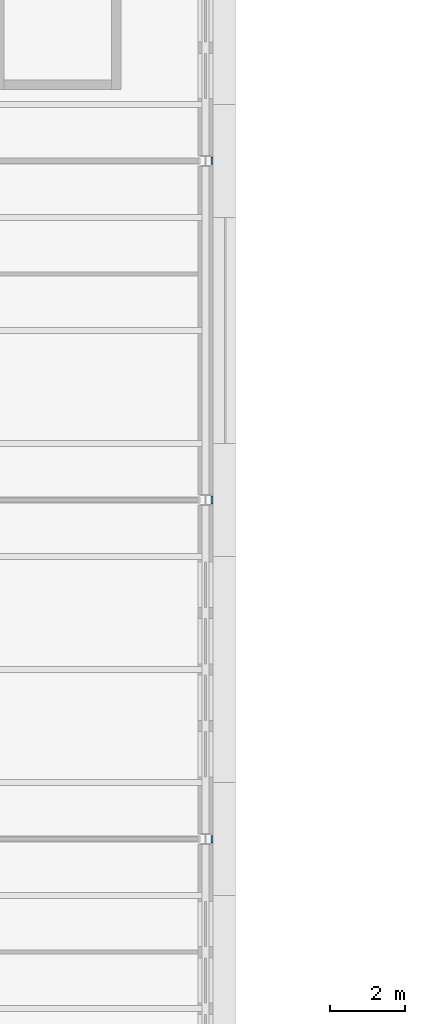
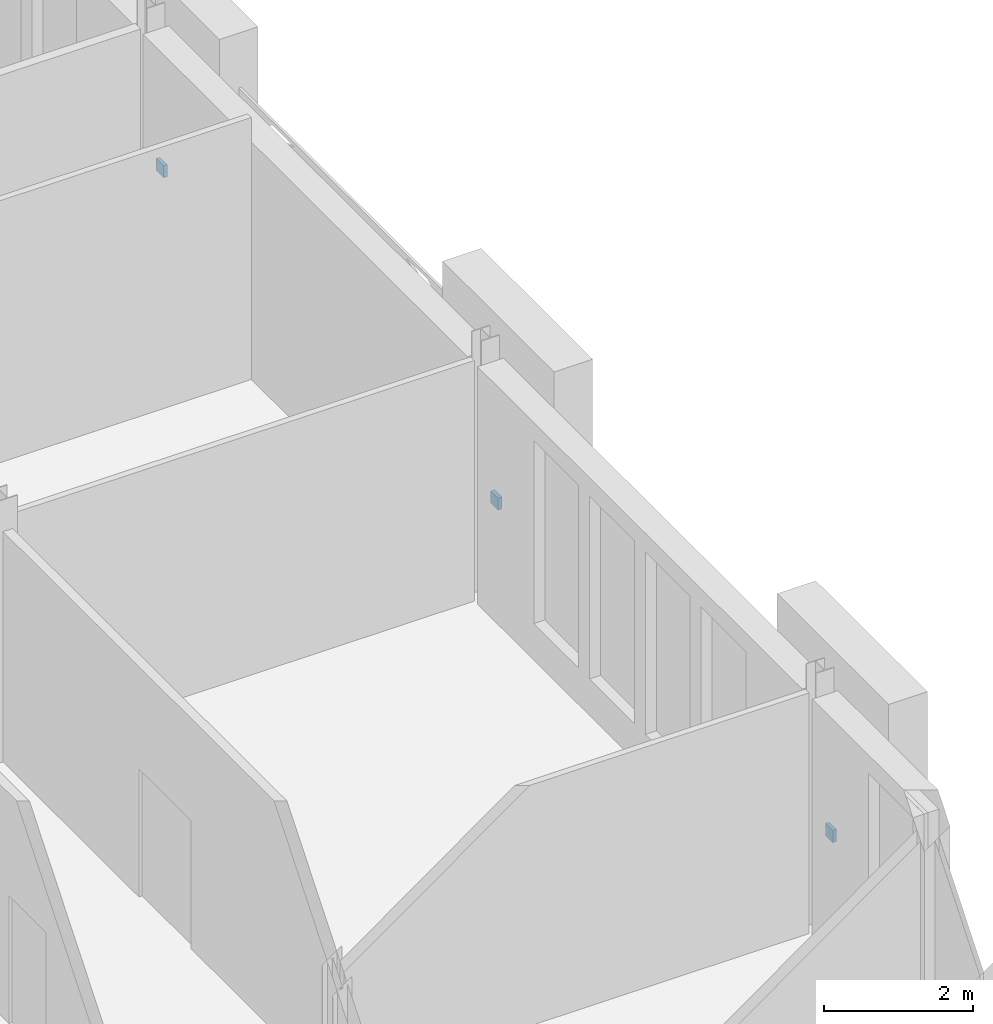
# One storey, part 103 of 134: 3 discrete accessories.
"""IFC4 building model written with IfcOpenShell, lengths in metres."""

from ifc_helpers import new_model, si_unit, direction, frame, origin, origin_2d, place, context, subcontext, project, spatial, rectangle, extrude, material, type_object, element, save


model = new_model("IFC4")

# Units and contexts
model_context = context("Model", 3, precision=1e-05, world=origin(), true_north=direction((0.0, 1.0)))
body_context = subcontext(model_context, "Body", "Model", "MODEL_VIEW")
ifc_project = project(units=[si_unit("LENGTHUNIT", "METRE"), si_unit("AREAUNIT", "SQUARE_METRE"), si_unit("VOLUMEUNIT", "CUBIC_METRE"), si_unit("PLANEANGLEUNIT", "RADIAN"), si_unit("MASSUNIT", "GRAM", prefix="KILO")], contexts=[model_context])

# Site, building, storey
site_placement = place(None, origin())
site = spatial("IfcSite", under=ifc_project, at=site_placement, CompositionType="ELEMENT")
building_placement = place(site_placement, origin())
building = spatial("IfcBuilding", under=site, at=building_placement, Name="Golden Quay Civic Hall", CompositionType="ELEMENT")
storey_placement = place(building_placement, frame((0.0, 0.0, 5.39990234375)))
storey = spatial("IfcBuildingStorey", under=building, at=storey_placement, Name="L01", CompositionType="ELEMENT", Elevation=5.39990234375)

# Discrete accessories
ifc_material = material(Name="Steel S355", Category="steel")
discrete_accessory_type = type_object("IfcDiscreteAccessoryType", Name="Pier fixing bracket 200 x 200", PredefinedType="BRACKET", material=ifc_material)
for number, where, z_axis, x_axis, name in (
    (1, (117.169921875, 27.0, 1.39990234375), (0.0, 0.0, 1.0), (0.0, 1.0, 0.0), "Pier fixing bracket 200 x 200 L01 18"),
    (2, (117.169921875, 36.0, 1.39990234375), (0.0, 0.0, 1.0), (0.0, 1.0, 0.0), "Pier fixing bracket 200 x 200 L01 19"),
    (3, (117.169921875, 45.0, 1.39990234375), (0.0, 0.0, 1.0), (0.0, 1.0, 0.0), "Pier fixing bracket 200 x 200 L01 20"),
):
    element("IfcDiscreteAccessory", number, at=place(storey_placement, frame(where, z_axis=z_axis, x_axis=x_axis)), inside=storey, type_object=discrete_accessory_type, Name=name, PredefinedType="BRACKET", context=body_context, shape_type="SweptSolid", body=[
        extrude(rectangle(XDim=0.199951171875, YDim=0.06005859375, at=origin_2d()), origin(), (0.0, 0.0, 1.0), 0.199951171875),
    ])

save(model, "model.ifc")
